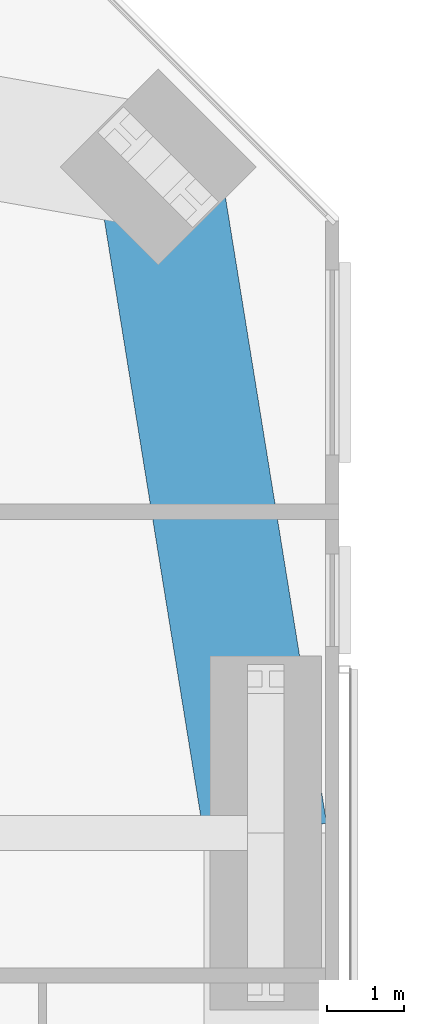
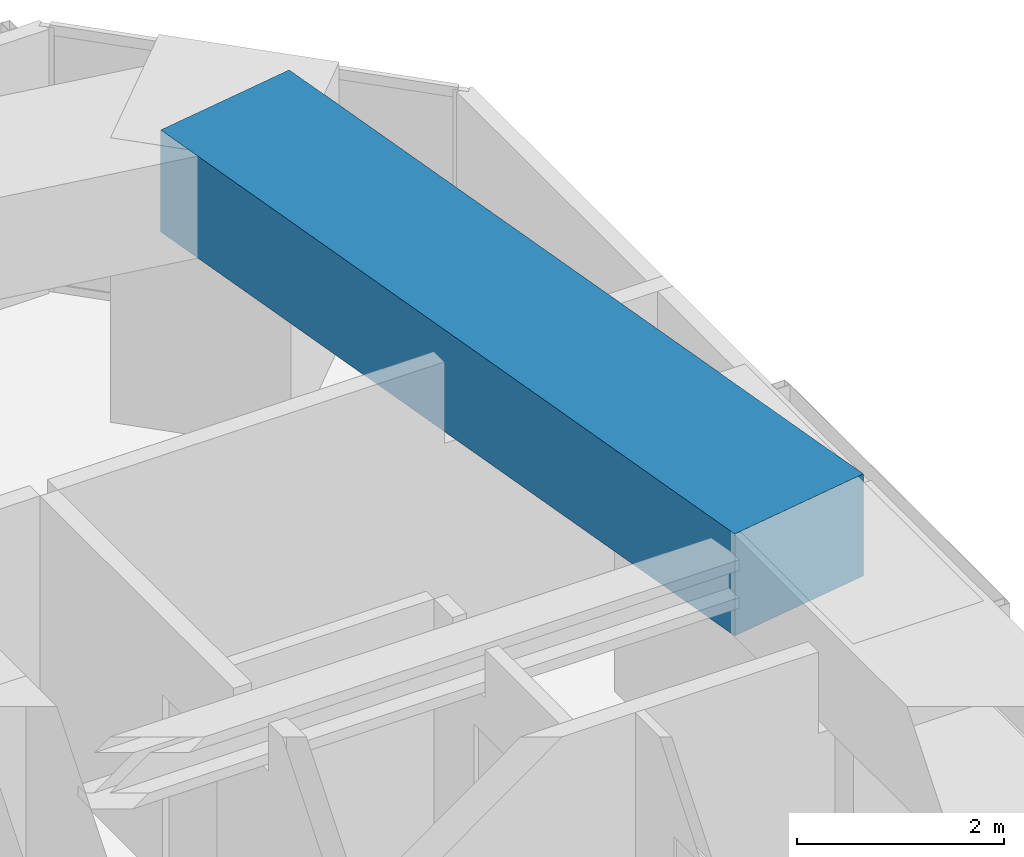
# One storey, part 9 of 22: 1 beam.
"""IFC4 building model written with IfcOpenShell, lengths in metres."""

from ifc_helpers import new_model, si_unit, direction, frame, origin, origin_2d, place, context, subcontext, project, spatial, rectangle, extrude, material, material_profile, profile_set, type_object, element, save


model = new_model("IFC4")

# Units and contexts
model_context = context("Model", 3, precision=1e-05, world=origin(), true_north=direction((0.0, 1.0)))
body_context = subcontext(model_context, "Body", "Model", "MODEL_VIEW")
ifc_project = project(units=[si_unit("LENGTHUNIT", "METRE"), si_unit("AREAUNIT", "SQUARE_METRE"), si_unit("VOLUMEUNIT", "CUBIC_METRE"), si_unit("PLANEANGLEUNIT", "RADIAN"), si_unit("MASSUNIT", "GRAM", prefix="KILO")], contexts=[model_context])

# Site, building, storey
site_placement = place(None, origin())
site = spatial("IfcSite", under=ifc_project, at=site_placement, CompositionType="ELEMENT")
building_placement = place(site_placement, origin())
building = spatial("IfcBuilding", under=site, at=building_placement, Name="Jalousie Tower", CompositionType="ELEMENT")
storey_placement = place(building_placement, frame((0.0, 0.0, 174.449951171875)))
storey = spatial("IfcBuildingStorey", under=building, at=storey_placement, Name="L47", CompositionType="ELEMENT", Elevation=174.449951171875)

# Beam
ifc_material = material(Name="Concrete f'c 40 MPa", Category="concrete")
ifc_material_profile = material_profile(ifc_material, rectangle(XDim=1.60009765625, YDim=1.199951171875, at=origin_2d()), Name="RC 1600x1200")
ifc_profile_set = profile_set([ifc_material_profile], Name="Concrete f'c 40 MPa")
beam_type = type_object("IfcBeamType", Name="RC BEAM 1600x1200", PredefinedType="BEAM", material=ifc_profile_set)
beam_placement = place(storey_placement, frame((52.050048828125, 25.0, 2.75), z_axis=(-0.159567878256, 0.987186959106, 0.0), x_axis=(-0.987186959106, -0.159567878256, 0.0)))
element("IfcBeam", 1, at=beam_placement, inside=storey, type_object=beam_type, Name="Edge band beam 07-08 under L48", PredefinedType="BEAM", context=body_context, shape_type="SweptSolid", body=[
    extrude(rectangle(XDim=1.60009765625, YDim=1.199951171875, at=origin_2d()), origin(), (0.0, 0.0, 1.0), 8.763916015625),
])

save(model, "model.ifc")
